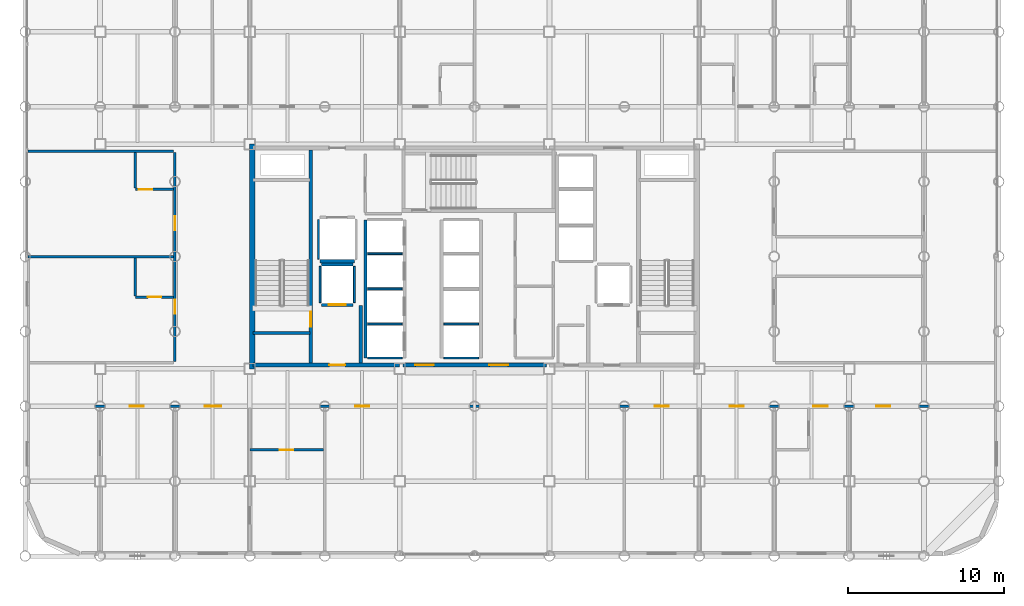
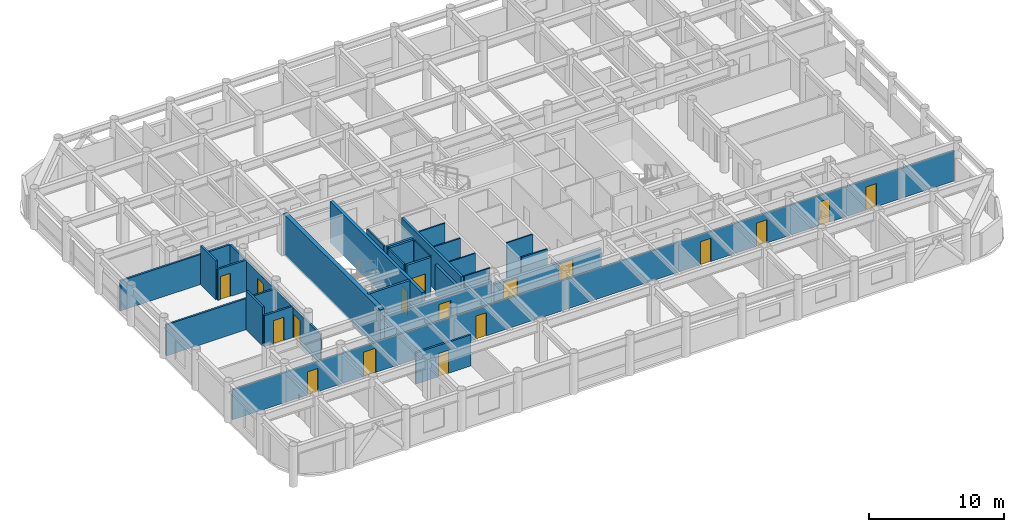
# One storey, part 16 of 20: 28 walls, 17 doors, 17 openings.
"""IFC4 building model written with IfcOpenShell, lengths in metres."""

from ifc_helpers import new_model, si_unit, direction, frame, frame_2d, origin, place, context, subcontext, project, spatial, rectangle, extrude, material, layer, layer_set, type_object, element, fill, save


model = new_model("IFC4")

# Units and contexts
model_context = context("Model", 3, precision=1e-05, world=origin(), true_north=direction((0.0, 1.0)))
body_context = subcontext(model_context, "Body", "Model", "MODEL_VIEW")
ifc_project = project(units=[si_unit("LENGTHUNIT", "METRE"), si_unit("AREAUNIT", "SQUARE_METRE"), si_unit("VOLUMEUNIT", "CUBIC_METRE"), si_unit("PLANEANGLEUNIT", "RADIAN"), si_unit("MASSUNIT", "GRAM", prefix="KILO")], contexts=[model_context])

# Site, building, storey
site_placement = place(None, origin())
site = spatial("IfcSite", under=ifc_project, at=site_placement, CompositionType="ELEMENT")
building_placement = place(site_placement, origin())
building = spatial("IfcBuilding", under=site, at=building_placement, Name="Kallvorn Hotel Tower", CompositionType="ELEMENT")
storey_placement = place(building_placement, frame((0.0, 0.0, 98.89990234375)))
storey = spatial("IfcBuildingStorey", under=building, at=storey_placement, Name="L23", CompositionType="ELEMENT", Elevation=98.89990234375)

# Wall
ifc_material_1 = material(Name="Concrete C50/60", Category="concrete")
ifc_layer_1 = layer(ifc_material_1, 0.35009765625)
ifc_layer_set_1 = layer_set([ifc_layer_1], Name="WL_CORE_350")
wall_type_1 = type_object("IfcWallType", Name="WL_CORE_350", PredefinedType="SHEAR", material=ifc_layer_set_1)
wall_1_placement = place(storey_placement, frame((-14.239990234375, -7.199951171875, -0.179931640625), z_axis=(0.0, 0.0, 1.0), x_axis=(0.0, 1.0, 0.0)))
element("IfcWall", 1, at=wall_1_placement, inside=storey, type_object=wall_type_1, Name="L23 Core West Shear Wall", PredefinedType="SHEAR", context=body_context, shape_type="SweptSolid", body=[
    extrude(rectangle(XDim=14.39990234375, YDim=0.35009765625, at=frame_2d((7.199951171875, 0.0))), origin(), (0.0, 0.0, 1.0), 3.699951171875),
])

# Wall, opening, door
ifc_material_2 = material(Name="Fire-rated double-layer acoustic gypsum drywall EI 60")
ifc_layer_2 = layer(ifc_material_2, 0.159912109375)
ifc_layer_set_2 = layer_set([ifc_layer_2], Name="WL_DEMISE_160")
wall_type_2 = type_object("IfcWallType", Name="WL_DEMISE_160", PredefinedType="PARTITIONING", material=ifc_layer_set_2)
wall_2_placement = place(storey_placement, frame((-14.39990234375, -12.39501953125, 0.0), z_axis=(0.0, 0.0, 1.0), x_axis=(1.0, 0.0, 0.0)))
wall_2 = element("IfcWall", 2, at=wall_2_placement, inside=storey, type_object=wall_type_2, Name="L23 Suite 2303 Executive Bedroom Partition", PredefinedType="PARTITIONING", context=body_context, shape_type="SweptSolid", body=[
    extrude(rectangle(XDim=4.719970703125, YDim=0.159912109375, at=frame_2d((2.35986328125, 0.0))), origin(), (0.0, 0.0, 1.0), 2.820068359375),
])
opening_1_placement = place(wall_2_placement, frame((1.929931640625, 0.0, 0.0)))
opening_1 = element("IfcOpeningElement", 3, at=opening_1_placement, cuts=wall_2, Name="Opening BD-I", PredefinedType="OPENING", context=body_context, shape_type="SweptSolid", body=[
    extrude(rectangle(XDim=0.860107421875, YDim=2.10009765625, at=frame_2d((0.43017578125, 1.050048828125))), frame((0.0, 0.094970703125, 0.0), z_axis=(0.0, -1.0, 0.0), x_axis=(1.0, 0.0, 0.0)), (0.0, 0.0, 1.0), 0.18994140625),
])
ifc_material_3 = material(Name="Solid-core walnut veneer fire-rated timber door leaf", Category="wood")
door_type_1 = type_object("IfcDoorType", Name="DR_BATH_860x2100", OperationType="NOTDEFINED", PredefinedType="DOOR", material=ifc_material_3)
door_1_placement = place(opening_1_placement, origin())
door_1 = element("IfcDoor", 4, at=door_1_placement, inside=storey, type_object=door_type_1, Name="L23 Suite 2303 En-Suite Bathroom Door", OperationType="SINGLE_SWING_RIGHT", OverallHeight=2.10009765625, OverallWidth=0.860107421875, PredefinedType="DOOR", context=body_context, shape_type="SweptSolid", body=[
    extrude(rectangle(XDim=0.860107421875, YDim=2.10009765625, at=frame_2d((0.43017578125, 1.050048828125))), frame((0.0, 0.02490234375, 0.0), z_axis=(0.0, -1.0, 0.0), x_axis=(1.0, 0.0, 0.0)), (0.0, 0.0, 1.0), 0.050048828125),
])
fill(opening_1, door_1)

# Wall, openings, doors
wall_3_placement = place(storey_placement, frame((-28.510009765625, -9.60009765625, 0.0), z_axis=(0.0, 0.0, 1.0), x_axis=(1.0, 0.0, 0.0)))
wall_3 = element("IfcWall", 5, at=wall_3_placement, inside=storey, type_object=wall_type_2, Name="L23 Suite 2303 Executive Living Salon Partition", PredefinedType="PARTITIONING", context=body_context, shape_type="SweptSolid", body=[
    extrude(rectangle(XDim=61.820068359375, YDim=0.159912109375, at=frame_2d((30.91015625, 0.0))), origin(), (0.0, 0.0, 1.0), 2.72021484375),
])
opening_2_placement = place(wall_3_placement, frame((6.419921875, 0.0, 0.0)))
opening_2 = element("IfcOpeningElement", 6, at=opening_2_placement, cuts=wall_3, Name="Opening SVD1", PredefinedType="OPENING", context=body_context, shape_type="SweptSolid", body=[
    extrude(rectangle(XDim=0.89990234375, YDim=2.10009765625, at=frame_2d((0.449951171875, 1.050048828125))), frame((0.0, 0.094970703125, 0.0), z_axis=(0.0, -1.0, 0.0), x_axis=(1.0, 0.0, 0.0)), (0.0, 0.0, 1.0), 0.18994140625),
])
opening_3_placement = place(wall_3_placement, frame((54.240478515625, 0.0, 0.0)))
opening_3 = element("IfcOpeningElement", 7, at=opening_3_placement, cuts=wall_3, Name="Opening SVD1", PredefinedType="OPENING", context=body_context, shape_type="SweptSolid", body=[
    extrude(rectangle(XDim=0.89990234375, YDim=2.10009765625, at=frame_2d((0.449951171875, 1.050048828125))), frame((0.0, 0.094970703125, 0.0), z_axis=(0.0, -1.0, 0.0), x_axis=(1.0, 0.0, 0.0)), (0.0, 0.0, 1.0), 0.18994140625),
])
opening_4_placement = place(wall_3_placement, frame((11.22509765625, 0.0, 0.0)))
opening_4 = element("IfcOpeningElement", 8, at=opening_4_placement, cuts=wall_3, Name="Opening GD2", PredefinedType="OPENING", context=body_context, shape_type="SweptSolid", body=[
    extrude(rectangle(XDim=1.050048828125, YDim=2.199951171875, at=frame_2d((0.52490234375, 1.10009765625))), frame((0.0, 0.094970703125, 0.0), z_axis=(0.0, -1.0, 0.0), x_axis=(1.0, 0.0, 0.0)), (0.0, 0.0, 1.0), 0.18994140625),
])
opening_5_placement = place(wall_3_placement, frame((20.860107421875, 0.0, 0.0)))
opening_5 = element("IfcOpeningElement", 9, at=opening_5_placement, cuts=wall_3, Name="Opening SVD1", PredefinedType="OPENING", context=body_context, shape_type="SweptSolid", body=[
    extrude(rectangle(XDim=0.89990234375, YDim=2.10009765625, at=frame_2d((0.449951171875, 1.050048828125))), frame((0.0, 0.094970703125, 0.0), z_axis=(0.0, -1.0, 0.0), x_axis=(1.0, 0.0, 0.0)), (0.0, 0.0, 1.0), 0.18994140625),
])
opening_6_placement = place(wall_3_placement, frame((40.06005859375, 0.0, 0.0)))
opening_6 = element("IfcOpeningElement", 10, at=opening_6_placement, cuts=wall_3, Name="Opening SVD1", PredefinedType="OPENING", context=body_context, shape_type="SweptSolid", body=[
    extrude(rectangle(XDim=0.89990234375, YDim=2.10009765625, at=frame_2d((0.449951171875, 1.050048828125))), frame((0.0, 0.094970703125, 0.0), z_axis=(0.0, -1.0, 0.0), x_axis=(1.0, 0.0, 0.0)), (0.0, 0.0, 1.0), 0.18994140625),
])
opening_7_placement = place(wall_3_placement, frame((44.860107421875, 0.0, 0.0)))
opening_7 = element("IfcOpeningElement", 11, at=opening_7_placement, cuts=wall_3, Name="Opening SVD1", PredefinedType="OPENING", context=body_context, shape_type="SweptSolid", body=[
    extrude(rectangle(XDim=0.89990234375, YDim=2.10009765625, at=frame_2d((0.449951171875, 1.050048828125))), frame((0.0, 0.094970703125, 0.0), z_axis=(0.0, -1.0, 0.0), x_axis=(1.0, 0.0, 0.0)), (0.0, 0.0, 1.0), 0.18994140625),
])
opening_8_placement = place(wall_3_placement, frame((50.219970703125, 0.0, 0.0)))
opening_8 = element("IfcOpeningElement", 12, at=opening_8_placement, cuts=wall_3, Name="Opening GD1", PredefinedType="OPENING", context=body_context, shape_type="SweptSolid", body=[
    extrude(rectangle(XDim=0.919921875, YDim=2.14990234375, at=frame_2d((0.4599609375, 1.074951171875))), frame((0.0, 0.094970703125, 0.0), z_axis=(0.0, -1.0, 0.0), x_axis=(1.0, 0.0, 0.0)), (0.0, 0.0, 1.0), 0.18994140625),
])
ifc_material_4 = material(Name="Solid-core walnut veneer fire-rated timber door leaf", Category="wood")
door_type_2 = type_object("IfcDoorType", Name="DR_GUEST_920x2150", OperationType="NOTDEFINED", PredefinedType="DOOR", material=ifc_material_4)
door_2_placement = place(opening_8_placement, origin())
door_2 = element("IfcDoor", 13, at=door_2_placement, inside=storey, type_object=door_type_2, Name="L23 Suite 2304 Deluxe King Room Door", OperationType="SINGLE_SWING_RIGHT", OverallHeight=2.14990234375, OverallWidth=0.919921875, PredefinedType="DOOR", context=body_context, shape_type="SweptSolid", body=[
    extrude(rectangle(XDim=0.919921875, YDim=2.14990234375, at=frame_2d((0.4599609375, 1.074951171875))), frame((0.0, 0.02490234375, 0.0), z_axis=(0.0, -1.0, 0.0), x_axis=(1.0, 0.0, 0.0)), (0.0, 0.0, 1.0), 0.050048828125),
])
fill(opening_8, door_2)
ifc_material_5 = material(Name="Galvanised painted steel fire-rated door assembly", Category="steel")
door_type_3 = type_object("IfcDoorType", Name="DR_SERV_900x2100", OperationType="NOTDEFINED", PredefinedType="DOOR", material=ifc_material_5)
door_3_placement = place(opening_2_placement, origin())
door_3 = element("IfcDoor", 14, at=door_3_placement, inside=storey, type_object=door_type_3, Name="L23 L23 South-West Botanical Bar B Door", OperationType="SINGLE_SWING_RIGHT", OverallHeight=2.10009765625, OverallWidth=0.89990234375, PredefinedType="DOOR", context=body_context, shape_type="SweptSolid", body=[
    extrude(rectangle(XDim=0.89990234375, YDim=2.10009765625, at=frame_2d((0.449951171875, 1.050048828125))), frame((0.0, 0.02490234375, 0.0), z_axis=(0.0, -1.0, 0.0), x_axis=(1.0, 0.0, 0.0)), (0.0, 0.0, 1.0), 0.050048828125),
])
fill(opening_2, door_3)
door_4_placement = place(opening_3_placement, origin())
door_4 = element("IfcDoor", 15, at=door_4_placement, inside=storey, type_object=door_type_3, Name="L23 L23 South-East Sommelier Bar Door", OperationType="SINGLE_SWING_RIGHT", OverallHeight=2.10009765625, OverallWidth=0.89990234375, PredefinedType="DOOR", context=body_context, shape_type="SweptSolid", body=[
    extrude(rectangle(XDim=0.89990234375, YDim=2.10009765625, at=frame_2d((0.449951171875, 1.050048828125))), frame((0.0, 0.02490234375, 0.0), z_axis=(0.0, -1.0, 0.0), x_axis=(1.0, 0.0, 0.0)), (0.0, 0.0, 1.0), 0.050048828125),
])
fill(opening_3, door_4)
door_5_placement = place(opening_5_placement, origin())
door_5 = element("IfcDoor", 16, at=door_5_placement, inside=storey, type_object=door_type_3, Name="L23 L23 Panorama Banquet Event Hall 2 Door", OperationType="SINGLE_SWING_RIGHT", OverallHeight=2.10009765625, OverallWidth=0.89990234375, PredefinedType="DOOR", context=body_context, shape_type="SweptSolid", body=[
    extrude(rectangle(XDim=0.89990234375, YDim=2.10009765625, at=frame_2d((0.449951171875, 1.050048828125))), frame((0.0, 0.02490234375, 0.0), z_axis=(0.0, -1.0, 0.0), x_axis=(1.0, 0.0, 0.0)), (0.0, 0.0, 1.0), 0.050048828125),
])
fill(opening_5, door_5)
door_6_placement = place(opening_6_placement, origin())
door_6 = element("IfcDoor", 17, at=door_6_placement, inside=storey, type_object=door_type_3, Name="L23 L23 Restaurant Culinary Catering Kitchen 3-1 Door", OperationType="SINGLE_SWING_LEFT", OverallHeight=2.10009765625, OverallWidth=0.89990234375, PredefinedType="DOOR", context=body_context, shape_type="SweptSolid", body=[
    extrude(rectangle(XDim=0.89990234375, YDim=2.10009765625, at=frame_2d((0.449951171875, 1.050048828125))), frame((0.0, 0.02490234375, 0.0), z_axis=(0.0, -1.0, 0.0), x_axis=(1.0, 0.0, 0.0)), (0.0, 0.0, 1.0), 0.050048828125),
])
fill(opening_6, door_6)
door_7_placement = place(opening_7_placement, origin())
door_7 = element("IfcDoor", 18, at=door_7_placement, inside=storey, type_object=door_type_3, Name="L23 L23 Restaurant Culinary Catering Kitchen 3-2 Door", OperationType="SINGLE_SWING_LEFT", OverallHeight=2.10009765625, OverallWidth=0.89990234375, PredefinedType="DOOR", context=body_context, shape_type="SweptSolid", body=[
    extrude(rectangle(XDim=0.89990234375, YDim=2.10009765625, at=frame_2d((0.449951171875, 1.050048828125))), frame((0.0, 0.02490234375, 0.0), z_axis=(0.0, -1.0, 0.0), x_axis=(1.0, 0.0, 0.0)), (0.0, 0.0, 1.0), 0.050048828125),
])
fill(opening_7, door_7)
ifc_material_6 = material(Name="Solid-core walnut veneer fire-rated timber door leaf", Category="wood")
door_type_4 = type_object("IfcDoorType", Name="DR_SUITE_1050x2200", OperationType="NOTDEFINED", PredefinedType="DOOR", material=ifc_material_6)
door_8_placement = place(opening_4_placement, origin())
door_8 = element("IfcDoor", 19, at=door_8_placement, inside=storey, type_object=door_type_4, Name="L23 Suite 2303 Executive Living Salon Door", OperationType="SINGLE_SWING_LEFT", OverallHeight=2.199951171875, OverallWidth=1.050048828125, PredefinedType="DOOR", context=body_context, shape_type="SweptSolid", body=[
    extrude(rectangle(XDim=1.050048828125, YDim=2.199951171875, at=frame_2d((0.52490234375, 1.10009765625))), frame((0.0, 0.02490234375, 0.0), z_axis=(0.0, -1.0, 0.0), x_axis=(1.0, 0.0, 0.0)), (0.0, 0.0, 1.0), 0.050048828125),
])
fill(opening_4, door_8)

# Wall, opening, door
wall_4_placement = place(storey_placement, frame((-21.72998046875, -2.60009765625, 0.0), z_axis=(0.0, 0.0, 1.0), x_axis=(1.0, 0.0, 0.0)))
wall_4 = element("IfcWall", 20, at=wall_4_placement, inside=storey, type_object=wall_type_2, Name="L23 Suite 2301 W Loggia King Room Partition", PredefinedType="PARTITIONING", context=body_context, shape_type="SweptSolid", body=[
    extrude(rectangle(XDim=2.449951171875, YDim=0.159912109375, at=frame_2d((1.22509765625, 0.0))), origin(), (0.0, 0.0, 1.0), 2.820068359375),
])
opening_9_placement = place(wall_4_placement, frame((0.794921875, 0.0, 0.0)))
opening_9 = element("IfcOpeningElement", 21, at=opening_9_placement, cuts=wall_4, Name="Opening BD-I", PredefinedType="OPENING", context=body_context, shape_type="SweptSolid", body=[
    extrude(rectangle(XDim=0.860107421875, YDim=2.10009765625, at=frame_2d((0.43017578125, 1.050048828125))), frame((0.0, 0.094970703125, 0.0), z_axis=(0.0, -1.0, 0.0), x_axis=(1.0, 0.0, 0.0)), (0.0, 0.0, 1.0), 0.18994140625),
])
door_9_placement = place(opening_9_placement, origin())
door_9 = element("IfcDoor", 22, at=door_9_placement, inside=storey, type_object=door_type_1, Name="L23 Suite 2301 En-Suite Bathroom Door", OperationType="SINGLE_SWING_LEFT", OverallHeight=2.10009765625, OverallWidth=0.860107421875, PredefinedType="DOOR", context=body_context, shape_type="SweptSolid", body=[
    extrude(rectangle(XDim=0.860107421875, YDim=2.10009765625, at=frame_2d((0.43017578125, 1.050048828125))), frame((0.0, 0.02490234375, 0.0), z_axis=(0.0, -1.0, 0.0), x_axis=(1.0, 0.0, 0.0)), (0.0, 0.0, 1.0), 0.050048828125),
])
fill(opening_9, door_9)

# Wall
wall_5_placement = place(storey_placement, frame((-28.6298828125, 0.0, 0.0), z_axis=(0.0, 0.0, 1.0), x_axis=(1.0, 0.0, 0.0)))
element("IfcWall", 23, at=wall_5_placement, inside=storey, type_object=wall_type_2, Name="L23 Suite 2302 W Andean Twin Room Partition", PredefinedType="PARTITIONING", context=body_context, shape_type="SweptSolid", body=[
    extrude(rectangle(XDim=9.349853515625, YDim=0.159912109375, at=frame_2d((4.6748046875, 0.0))), origin(), (0.0, 0.0, 1.0), 2.820068359375),
])

# Wall, opening, door
wall_6_placement = place(storey_placement, frame((-21.72998046875, 4.300048828125, 0.0), z_axis=(0.0, 0.0, 1.0), x_axis=(1.0, 0.0, 0.0)))
wall_6 = element("IfcWall", 24, at=wall_6_placement, inside=storey, type_object=wall_type_2, Name="L23 Suite 2302 W Andean Twin Room Partition", PredefinedType="PARTITIONING", context=body_context, shape_type="SweptSolid", body=[
    extrude(rectangle(XDim=2.449951171875, YDim=0.159912109375, at=frame_2d((1.22509765625, 0.0))), origin(), (0.0, 0.0, 1.0), 2.820068359375),
])
opening_10_placement = place(wall_6_placement, frame((0.219970703125, 0.0, 0.0)))
opening_10 = element("IfcOpeningElement", 25, at=opening_10_placement, cuts=wall_6, Name="Opening BD-I", PredefinedType="OPENING", context=body_context, shape_type="SweptSolid", body=[
    extrude(rectangle(XDim=0.860107421875, YDim=2.10009765625, at=frame_2d((0.43017578125, 1.050048828125))), frame((0.0, 0.094970703125, 0.0), z_axis=(0.0, -1.0, 0.0), x_axis=(1.0, 0.0, 0.0)), (0.0, 0.0, 1.0), 0.18994140625),
])
door_10_placement = place(opening_10_placement, origin())
door_10 = element("IfcDoor", 26, at=door_10_placement, inside=storey, type_object=door_type_1, Name="L23 Suite 2302 En-Suite Bathroom Door", OperationType="SINGLE_SWING_LEFT", OverallHeight=2.10009765625, OverallWidth=0.860107421875, PredefinedType="DOOR", context=body_context, shape_type="SweptSolid", body=[
    extrude(rectangle(XDim=0.860107421875, YDim=2.10009765625, at=frame_2d((0.43017578125, 1.050048828125))), frame((0.0, 0.02490234375, 0.0), z_axis=(0.0, -1.0, 0.0), x_axis=(1.0, 0.0, 0.0)), (0.0, 0.0, 1.0), 0.050048828125),
])
fill(opening_10, door_10)

# Walls
wall_7_placement = place(storey_placement, frame((-28.6298828125, 6.75, 0.0), z_axis=(0.0, 0.0, 1.0), x_axis=(1.0, 0.0, 0.0)))
element("IfcWall", 27, at=wall_7_placement, inside=storey, type_object=wall_type_2, Name="L23 Suite 2302 W Andean Twin Room Partition", PredefinedType="PARTITIONING", context=body_context, shape_type="SweptSolid", body=[
    extrude(rectangle(XDim=9.349853515625, YDim=0.159912109375, at=frame_2d((4.6748046875, 0.0))), origin(), (0.0, 0.0, 1.0), 2.72021484375),
])
wall_8_placement = place(storey_placement, frame((-21.72998046875, -2.514892578125, 0.0), z_axis=(0.0, 0.0, 1.0), x_axis=(0.0, 1.0, 0.0)))
element("IfcWall", 28, at=wall_8_placement, inside=storey, type_object=wall_type_2, Name="L23 Suite 2301 W Loggia King Room Partition", PredefinedType="PARTITIONING", context=body_context, shape_type="SweptSolid", body=[
    extrude(rectangle(XDim=2.414794921875, YDim=0.159912109375, at=frame_2d((1.20751953125, 0.0))), origin(), (0.0, 0.0, 1.0), 3.52001953125),
])
wall_9_placement = place(storey_placement, frame((-21.72998046875, 4.385009765625, 0.0), z_axis=(0.0, 0.0, 1.0), x_axis=(0.0, 1.0, 0.0)))
element("IfcWall", 29, at=wall_9_placement, inside=storey, type_object=wall_type_2, Name="L23 Suite 2302 W Andean Twin Room Partition", PredefinedType="PARTITIONING", context=body_context, shape_type="SweptSolid", body=[
    extrude(rectangle(XDim=2.280029296875, YDim=0.159912109375, at=frame_2d((1.14013671875, 0.0))), origin(), (0.0, 0.0, 1.0), 3.52001953125),
])

# Wall, openings, doors
wall_10_placement = place(storey_placement, frame((-19.199951171875, -6.715087890625, 0.0), z_axis=(0.0, 0.0, 1.0), x_axis=(0.0, 1.0, 0.0)))
wall_10 = element("IfcWall", 30, at=wall_10_placement, inside=storey, type_object=wall_type_2, Name="L23 Suite 2301 W Loggia King Room Partition", PredefinedType="PARTITIONING", context=body_context, shape_type="SweptSolid", body=[
    extrude(rectangle(XDim=13.380126953125, YDim=0.159912109375, at=frame_2d((6.68994140625, 0.0))), origin(), (0.0, 0.0, 1.0), 2.72021484375),
])
opening_11_placement = place(wall_10_placement, frame((3.034912109375, 0.0, 0.0)))
opening_11 = element("IfcOpeningElement", 31, at=opening_11_placement, cuts=wall_10, Name="Opening GD1", PredefinedType="OPENING", context=body_context, shape_type="SweptSolid", body=[
    extrude(rectangle(XDim=0.919921875, YDim=2.14990234375, at=frame_2d((0.4599609375, 1.074951171875))), frame((0.0, 0.094970703125, 0.0), z_axis=(0.0, -1.0, 0.0), x_axis=(1.0, 0.0, 0.0)), (0.0, 0.0, 1.0), 0.18994140625),
])
opening_12_placement = place(wall_10_placement, frame((8.385009765625, 0.0, 0.0)))
opening_12 = element("IfcOpeningElement", 32, at=opening_12_placement, cuts=wall_10, Name="Opening GD1", PredefinedType="OPENING", context=body_context, shape_type="SweptSolid", body=[
    extrude(rectangle(XDim=0.919921875, YDim=2.14990234375, at=frame_2d((0.4599609375, 1.074951171875))), frame((0.0, 0.094970703125, 0.0), z_axis=(0.0, -1.0, 0.0), x_axis=(1.0, 0.0, 0.0)), (0.0, 0.0, 1.0), 0.18994140625),
])
door_11_placement = place(opening_11_placement, origin())
door_11 = element("IfcDoor", 33, at=door_11_placement, inside=storey, type_object=door_type_2, Name="L23 Suite 2301 W Loggia King Room Door", OperationType="SINGLE_SWING_RIGHT", OverallHeight=2.14990234375, OverallWidth=0.919921875, PredefinedType="DOOR", context=body_context, shape_type="SweptSolid", body=[
    extrude(rectangle(XDim=0.919921875, YDim=2.14990234375, at=frame_2d((0.4599609375, 1.074951171875))), frame((0.0, 0.02490234375, 0.0), z_axis=(0.0, -1.0, 0.0), x_axis=(1.0, 0.0, 0.0)), (0.0, 0.0, 1.0), 0.050048828125),
])
fill(opening_11, door_11)
door_12_placement = place(opening_12_placement, origin())
door_12 = element("IfcDoor", 34, at=door_12_placement, inside=storey, type_object=door_type_2, Name="L23 Suite 2302 W Andean Twin Room Door", OperationType="SINGLE_SWING_LEFT", OverallHeight=2.14990234375, OverallWidth=0.919921875, PredefinedType="DOOR", context=body_context, shape_type="SweptSolid", body=[
    extrude(rectangle(XDim=0.919921875, YDim=2.14990234375, at=frame_2d((0.4599609375, 1.074951171875))), frame((0.0, 0.02490234375, 0.0), z_axis=(0.0, -1.0, 0.0), x_axis=(1.0, 0.0, 0.0)), (0.0, 0.0, 1.0), 0.050048828125),
])
fill(opening_12, door_12)

# Walls
ifc_material_7 = material(Name="Concrete C40/50", Category="concrete")
ifc_layer_3 = layer(ifc_material_7, 0.219970703125)
ifc_layer_set_3 = layer_set([ifc_layer_3], Name="WL_FFL_220")
wall_type_3 = type_object("IfcWallType", Name="WL_FFL_220", PredefinedType="SOLIDWALL", material=ifc_layer_set_3)
wall_11_placement = place(storey_placement, frame((-7.300048828125, -6.820068359375, 0.0), z_axis=(0.0, 0.0, 1.0), x_axis=(0.0, 1.0, 0.0)))
element("IfcWall", 35, at=wall_11_placement, inside=storey, type_object=wall_type_3, Name="L23 Firefighting Lobby West Divider Wall", PredefinedType="SOLIDWALL", context=body_context, shape_type="SweptSolid", body=[
    extrude(rectangle(XDim=3.670166015625, YDim=0.219970703125, at=frame_2d((1.8349609375, 0.0))), origin(), (0.0, 0.0, 1.0), 2.72021484375),
])
ifc_material_8 = material(Name="Concrete C40/50", Category="concrete")
ifc_layer_4 = layer(ifc_material_8, 0.199951171875)
ifc_layer_set_4 = layer_set([ifc_layer_4], Name="WL_HOIST_200")
wall_type_4 = type_object("IfcWallType", Name="WL_HOIST_200", PredefinedType="SOLIDWALL", material=ifc_layer_set_4)
wall_12_placement = place(storey_placement, frame((-14.199951171875, -4.89990234375, -0.179931640625), z_axis=(0.0, 0.0, 1.0), x_axis=(1.0, 0.0, 0.0)))
element("IfcWall", 36, at=wall_12_placement, inside=storey, type_object=wall_type_4, Name="L23 Stair ST1 South Wall", PredefinedType="SOLIDWALL", context=body_context, shape_type="SweptSolid", body=[
    extrude(rectangle(XDim=3.64990234375, YDim=0.199951171875, at=frame_2d((1.824951171875, 0.0))), origin(), (0.0, 0.0, 1.0), 3.699951171875),
])
wall_13_placement = place(storey_placement, frame((-7.0, -6.5, 0.0), z_axis=(0.0, 0.0, 1.0), x_axis=(0.0, 1.0, 0.0)))
element("IfcWall", 37, at=wall_13_placement, inside=storey, type_object=wall_type_4, Name="L23 Lift Bank B1 Rear Shaft Wall", PredefinedType="SOLIDWALL", context=body_context, shape_type="SweptSolid", body=[
    extrude(rectangle(XDim=8.85009765625, YDim=0.199951171875, at=frame_2d((4.425048828125, 0.0))), origin(), (0.0, 0.0, 1.0), 3.52001953125),
])

# Wall, opening, door
wall_14_placement = place(storey_placement, frame((-9.820068359375, -3.10009765625, 0.0), z_axis=(0.0, 0.0, 1.0), x_axis=(1.0, 0.0, 0.0)))
wall_14 = element("IfcWall", 38, at=wall_14_placement, inside=storey, type_object=wall_type_4, Name="L23 FL-1 Landing Wall", PredefinedType="SOLIDWALL", context=body_context, shape_type="SweptSolid", body=[
    extrude(rectangle(XDim=2.0400390625, YDim=0.199951171875, at=frame_2d((1.02001953125, 0.0))), origin(), (0.0, 0.0, 1.0), 3.52001953125),
])
opening_13_placement = place(wall_14_placement, frame((0.469970703125, 0.0, 0.0)))
opening_13 = element("IfcOpeningElement", 39, at=opening_13_placement, cuts=wall_14, Name="Opening LD-FL-1", PredefinedType="OPENING", context=body_context, shape_type="SweptSolid", body=[
    extrude(rectangle(XDim=1.10009765625, YDim=2.199951171875, at=frame_2d((0.550048828125, 1.10009765625))), frame((0.0, 0.114990234375, 0.0), z_axis=(0.0, -1.0, 0.0), x_axis=(1.0, 0.0, 0.0)), (0.0, 0.0, 1.0), 0.22998046875),
])
ifc_material_9 = material(Name="Brushed stainless-steel automatic sliding lift landing door", Category="steel")
door_type_5 = type_object("IfcDoorType", Name="LD_PASS_1100x2200", OperationType="SLIDING_TO_LEFT", PredefinedType="DOOR", material=ifc_material_9)
door_13_placement = place(opening_13_placement, origin())
door_13 = element("IfcDoor", 40, at=door_13_placement, inside=storey, type_object=door_type_5, Name="L23 Lift Landing Sliding Door LD-FL-1", OperationType="SLIDING_TO_LEFT", OverallHeight=2.199951171875, OverallWidth=1.10009765625, PredefinedType="DOOR", context=body_context, shape_type="SweptSolid", body=[
    extrude(rectangle(XDim=1.10009765625, YDim=2.199951171875, at=frame_2d((0.550048828125, 1.10009765625))), frame((0.0, 0.02490234375, 0.0), z_axis=(0.0, -1.0, 0.0), x_axis=(1.0, 0.0, 0.0)), (0.0, 0.0, 1.0), 0.050048828125),
])
fill(opening_13, door_13)

# Walls
wall_15_placement = place(storey_placement, frame((-9.820068359375, -0.5, 0.0), z_axis=(0.0, 0.0, 1.0), x_axis=(1.0, 0.0, 0.0)))
element("IfcWall", 41, at=wall_15_placement, inside=storey, type_object=wall_type_4, Name="L23 FL-1 Rear Shaft Wall", PredefinedType="SOLIDWALL", context=body_context, shape_type="SweptSolid", body=[
    extrude(rectangle(XDim=2.0400390625, YDim=0.199951171875, at=frame_2d((1.02001953125, 0.0))), origin(), (0.0, 0.0, 1.0), 3.52001953125),
])
wall_16_placement = place(storey_placement, frame((-9.919921875, -0.300048828125, 0.0), z_axis=(0.0, 0.0, 1.0), x_axis=(1.0, 0.0, 0.0)))
element("IfcWall", 42, at=wall_16_placement, inside=storey, type_object=wall_type_4, Name="L23 SV-01 Rear Shaft Wall", PredefinedType="SOLIDWALL", context=body_context, shape_type="SweptSolid", body=[
    extrude(rectangle(XDim=2.239990234375, YDim=0.199951171875, at=frame_2d((1.1201171875, 0.0))), origin(), (0.0, 0.0, 1.0), 3.52001953125),
])
ifc_material_10 = material(Name="Fire-rated double-layer acoustic gypsum drywall EI 60")
ifc_layer_5 = layer(ifc_material_10, 0.1201171875)
ifc_layer_set_5 = layer_set([ifc_layer_5], Name="WL_INT_120")
wall_type_5 = type_object("IfcWallType", Name="WL_INT_120", PredefinedType="PARTITIONING", material=ifc_layer_set_5)
for number, where, z_axis, x_axis, name in (
    (43, (-6.860107421875, -6.5, 0.0), (0.0, 0.0, 1.0), (1.0, 0.0, 0.0), "L23 Lift Bank B1 South Closure Wall"),
    (44, (-6.860107421875, -4.324951171875, 0.0), (0.0, 0.0, 1.0), (1.0, 0.0, 0.0), "L23 PL-01 Hoistway Divider"),
    (45, (-6.860107421875, -2.074951171875, 0.0), (0.0, 0.0, 1.0), (1.0, 0.0, 0.0), "L23 PL-02 Hoistway Divider"),
    (46, (-6.860107421875, 0.175048828125, 0.0), (0.0, 0.0, 1.0), (1.0, 0.0, 0.0), "L23 PL-03 Hoistway Divider"),
):
    element("IfcWall", number, at=place(storey_placement, frame(where, z_axis=z_axis, x_axis=x_axis)), inside=storey, type_object=wall_type_5, Name=name, PredefinedType="PARTITIONING", context=body_context, shape_type="SweptSolid", body=[
        extrude(rectangle(XDim=2.22021484375, YDim=0.1201171875, at=frame_2d((1.110107421875, 0.0))), origin(), (0.0, 0.0, 1.0), 3.52001953125),
    ])
for number, where, z_axis, x_axis, name in (
    (47, (-1.9599609375, -6.5, 0.0), (0.0, 0.0, 1.0), (1.0, 0.0, 0.0), "L23 Lift Bank B2 South Closure Wall"),
    (48, (-1.9599609375, -4.324951171875, 0.0), (0.0, 0.0, 1.0), (1.0, 0.0, 0.0), "L23 PL-05 Hoistway Divider"),
):
    element("IfcWall", number, at=place(storey_placement, frame(where, z_axis=z_axis, x_axis=x_axis)), inside=storey, type_object=wall_type_5, Name=name, PredefinedType="PARTITIONING", context=body_context, shape_type="SweptSolid", body=[
        extrude(rectangle(XDim=2.219970703125, YDim=0.1201171875, at=frame_2d((1.10986328125, 0.0))), origin(), (0.0, 0.0, 1.0), 3.52001953125),
    ])
for number, where, z_axis, x_axis, name in (
    (49, (-9.89990234375, -2.9599609375, 0.0), (0.0, 0.0, 1.0), (0.0, 1.0, 0.0), "L23 FL-1 West Shaft Wall"),
    (50, (-7.699951171875, -2.9599609375, 0.0), (0.0, 0.0, 1.0), (0.0, 1.0, 0.0), "L23 FL-1 East Shaft Wall"),
):
    element("IfcWall", number, at=place(storey_placement, frame(where, z_axis=z_axis, x_axis=x_axis)), inside=storey, type_object=wall_type_5, Name=name, PredefinedType="PARTITIONING", context=body_context, shape_type="SweptSolid", body=[
        extrude(rectangle(XDim=2.320068359375, YDim=0.1201171875, at=frame_2d((1.16015625, 0.0))), origin(), (0.0, 0.0, 1.0), 3.52001953125),
    ])
wall_17_placement = place(storey_placement, frame((-10.0, -0.159912109375, 0.0), z_axis=(0.0, 0.0, 1.0), x_axis=(0.0, 1.0, 0.0)))
element("IfcWall", 51, at=wall_17_placement, inside=storey, type_object=wall_type_5, Name="L23 SV-01 West Shaft Wall", PredefinedType="PARTITIONING", context=body_context, shape_type="SweptSolid", body=[
    extrude(rectangle(XDim=2.52001953125, YDim=0.1201171875, at=frame_2d((1.260009765625, 0.0))), origin(), (0.0, 0.0, 1.0), 3.52001953125),
])

# Wall, opening, door
ifc_material_11 = material(Name="Concrete C40/50", Category="concrete")
ifc_layer_6 = layer(ifc_material_11, 0.25)
ifc_layer_set_6 = layer_set([ifc_layer_6], Name="WL_SHAFT_250")
wall_type_6 = type_object("IfcWallType", Name="WL_SHAFT_250", PredefinedType="SOLIDWALL", material=ifc_layer_set_6)
wall_18_placement = place(storey_placement, frame((-14.199951171875, -6.949951171875, 0.0), z_axis=(0.0, 0.0, 1.0), x_axis=(1.0, 0.0, 0.0)))
wall_18 = element("IfcWall", 52, at=wall_18_placement, inside=storey, type_object=wall_type_6, Name="L23 Core South-West Wall", PredefinedType="SOLIDWALL", context=body_context, shape_type="SweptSolid", body=[
    extrude(rectangle(XDim=9.39990234375, YDim=0.25, at=frame_2d((4.699951171875, 0.0))), origin(), (0.0, 0.0, 1.0), 2.72021484375),
])
opening_14_placement = place(wall_18_placement, frame((4.89990234375, 0.0, 0.0)))
opening_14 = element("IfcOpeningElement", 53, at=opening_14_placement, cuts=wall_18, Name="Opening FD1", PredefinedType="OPENING", context=body_context, shape_type="SweptSolid", body=[
    extrude(rectangle(XDim=1.0, YDim=2.14990234375, at=frame_2d((0.5, 1.074951171875))), frame((0.0, 0.139892578125, 0.0), z_axis=(0.0, -1.0, 0.0), x_axis=(1.0, 0.0, 0.0)), (0.0, 0.0, 1.0), 0.280029296875),
])
ifc_material_12 = material(Name="Galvanised painted steel fire-rated door assembly", Category="steel")
door_type_6 = type_object("IfcDoorType", Name="DR_FFL_1000x2150", OperationType="NOTDEFINED", PredefinedType="DOOR", material=ifc_material_12)
door_14_placement = place(opening_14_placement, origin())
door_14 = element("IfcDoor", 54, at=door_14_placement, inside=storey, type_object=door_type_6, Name="L23 Firefighting Lobby West Door", OperationType="SINGLE_SWING_RIGHT", OverallHeight=2.14990234375, OverallWidth=1.0, PredefinedType="DOOR", context=body_context, shape_type="SweptSolid", body=[
    extrude(rectangle(XDim=1.0, YDim=2.14990234375, at=frame_2d((0.5, 1.074951171875))), frame((0.0, 0.02490234375, 0.0), z_axis=(0.0, -1.0, 0.0), x_axis=(1.0, 0.0, 0.0)), (0.0, 0.0, 1.0), 0.050048828125),
])
fill(opening_14, door_14)

# Wall, openings, doors
wall_19_placement = place(storey_placement, frame((-4.60009765625, -6.949951171875, 0.0), z_axis=(0.0, 0.0, 1.0), x_axis=(1.0, 0.0, 0.0)))
wall_19 = element("IfcWall", 55, at=wall_19_placement, inside=storey, type_object=wall_type_6, Name="L23 Core South-Central Wall", PredefinedType="SOLIDWALL", context=body_context, shape_type="SweptSolid", body=[
    extrude(rectangle(XDim=9.2001953125, YDim=0.25, at=frame_2d((4.60009765625, 0.0))), origin(), (0.0, 0.0, 1.0), 2.320068359375),
])
opening_15_placement = place(wall_19_placement, frame((0.800048828125, 0.0, 0.0)))
opening_15 = element("IfcOpeningElement", 56, at=opening_15_placement, cuts=wall_19, Name="Opening FD2", PredefinedType="OPENING", context=body_context, shape_type="SweptSolid", body=[
    extrude(rectangle(XDim=1.199951171875, YDim=2.199951171875, at=frame_2d((0.60009765625, 1.10009765625))), frame((0.0, 0.139892578125, 0.0), z_axis=(0.0, -1.0, 0.0), x_axis=(1.0, 0.0, 0.0)), (0.0, 0.0, 1.0), 0.280029296875),
])
opening_16_placement = place(wall_19_placement, frame((5.550048828125, 0.0, 0.0)))
opening_16 = element("IfcOpeningElement", 57, at=opening_16_placement, cuts=wall_19, Name="Opening FD2", PredefinedType="OPENING", context=body_context, shape_type="SweptSolid", body=[
    extrude(rectangle(XDim=1.199951171875, YDim=2.199951171875, at=frame_2d((0.60009765625, 1.10009765625))), frame((0.0, 0.139892578125, 0.0), z_axis=(0.0, -1.0, 0.0), x_axis=(1.0, 0.0, 0.0)), (0.0, 0.0, 1.0), 0.280029296875),
])
ifc_material_13 = material(Name="Galvanised painted steel fire-rated door assembly", Category="steel")
door_type_7 = type_object("IfcDoorType", Name="DR_LOBBY_1200x2200", OperationType="DOUBLE_DOOR_SINGLE_SWING", PredefinedType="DOOR", material=ifc_material_13)
door_15_placement = place(opening_15_placement, origin())
door_15 = element("IfcDoor", 58, at=door_15_placement, inside=storey, type_object=door_type_7, Name="L23 West Passenger Lift Lobby Door", OperationType="DOUBLE_DOOR_SINGLE_SWING", OverallHeight=2.199951171875, OverallWidth=1.199951171875, PredefinedType="DOOR", context=body_context, shape_type="SweptSolid", body=[
    extrude(rectangle(XDim=1.199951171875, YDim=2.199951171875, at=frame_2d((0.60009765625, 1.10009765625))), frame((0.0, 0.02490234375, 0.0), z_axis=(0.0, -1.0, 0.0), x_axis=(1.0, 0.0, 0.0)), (0.0, 0.0, 1.0), 0.050048828125),
])
fill(opening_15, door_15)
door_16_placement = place(opening_16_placement, origin())
door_16 = element("IfcDoor", 59, at=door_16_placement, inside=storey, type_object=door_type_7, Name="L23 East Passenger Lift Lobby Door", OperationType="DOUBLE_DOOR_SINGLE_SWING", OverallHeight=2.199951171875, OverallWidth=1.199951171875, PredefinedType="DOOR", context=body_context, shape_type="SweptSolid", body=[
    extrude(rectangle(XDim=1.199951171875, YDim=2.199951171875, at=frame_2d((0.60009765625, 1.10009765625))), frame((0.0, 0.02490234375, 0.0), z_axis=(0.0, -1.0, 0.0), x_axis=(1.0, 0.0, 0.0)), (0.0, 0.0, 1.0), 0.050048828125),
])
fill(opening_16, door_16)

# Wall, opening, door
wall_20_placement = place(storey_placement, frame((-10.5, -6.820068359375, -0.179931640625), z_axis=(0.0, 0.0, 1.0), x_axis=(0.0, 1.0, 0.0)))
wall_20 = element("IfcWall", 60, at=wall_20_placement, inside=storey, type_object=wall_type_6, Name="L23 Stair ST1 Shaft Wall", PredefinedType="SOLIDWALL", context=body_context, shape_type="SweptSolid", body=[
    extrude(rectangle(XDim=13.64013671875, YDim=0.25, at=frame_2d((6.820068359375, 0.0))), origin(), (0.0, 0.0, 1.0), 3.699951171875),
])
opening_17_placement = place(wall_20_placement, frame((2.320068359375, 0.0, 0.179931640625)))
opening_17 = element("IfcOpeningElement", 61, at=opening_17_placement, cuts=wall_20, Name="Opening SD1", PredefinedType="OPENING", context=body_context, shape_type="SweptSolid", body=[
    extrude(rectangle(XDim=0.949951171875, YDim=2.14990234375, at=frame_2d((0.47509765625, 1.074951171875))), frame((0.0, 0.139892578125, 0.0), z_axis=(0.0, -1.0, 0.0), x_axis=(1.0, 0.0, 0.0)), (0.0, 0.0, 1.0), 0.280029296875),
])
ifc_material_14 = material(Name="Galvanised painted steel fire-rated door assembly", Category="steel")
door_type_8 = type_object("IfcDoorType", Name="DR_STAIR_950x2150", OperationType="NOTDEFINED", PredefinedType="DOOR", material=ifc_material_14)
door_17_placement = place(opening_17_placement, origin())
door_17 = element("IfcDoor", 62, at=door_17_placement, inside=storey, type_object=door_type_8, Name="L23 Exit Stair ST1 Fire Door", OperationType="SINGLE_SWING_LEFT", OverallHeight=2.14990234375, OverallWidth=0.949951171875, PredefinedType="DOOR", context=body_context, shape_type="SweptSolid", body=[
    extrude(rectangle(XDim=0.949951171875, YDim=2.14990234375, at=frame_2d((0.47509765625, 1.074951171875))), frame((0.0, 0.02490234375, 0.0), z_axis=(0.0, -1.0, 0.0), x_axis=(1.0, 0.0, 0.0)), (0.0, 0.0, 1.0), 0.050048828125),
])
fill(opening_17, door_17)

save(model, "model.ifc")
